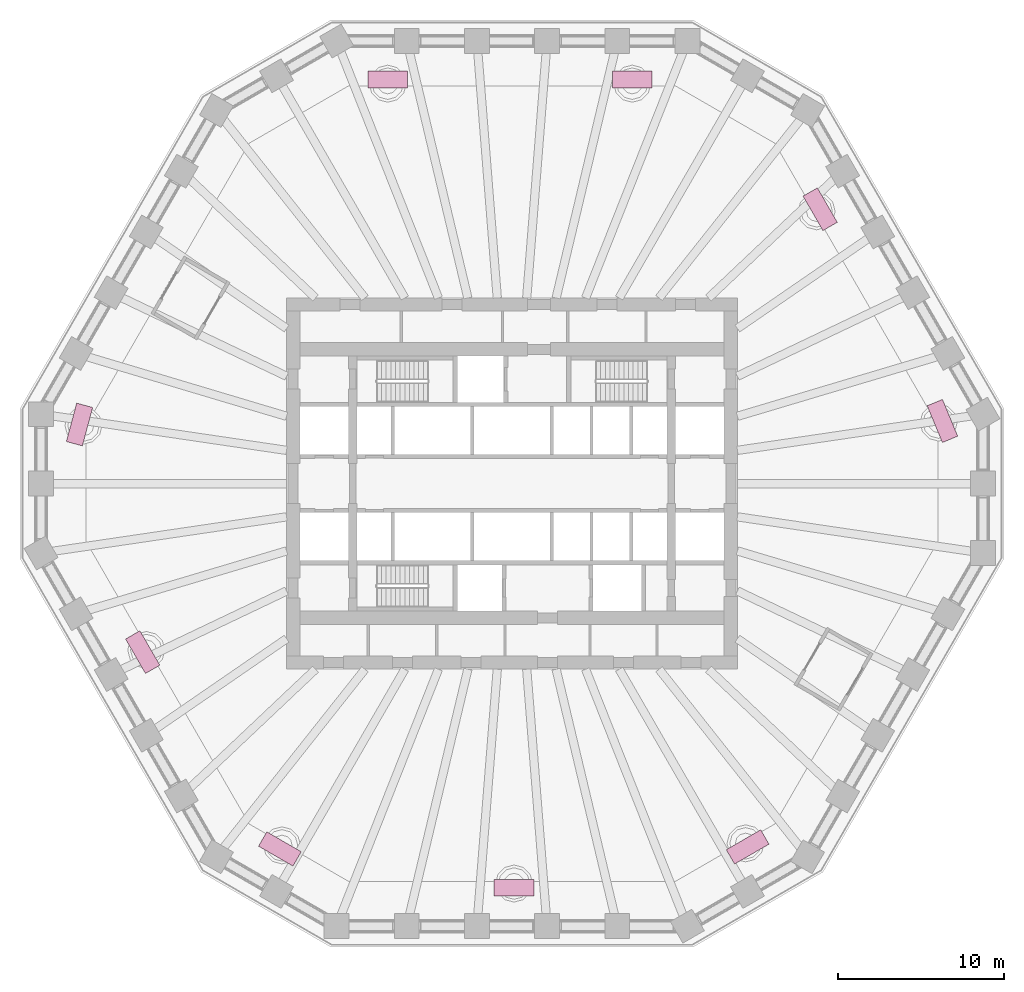
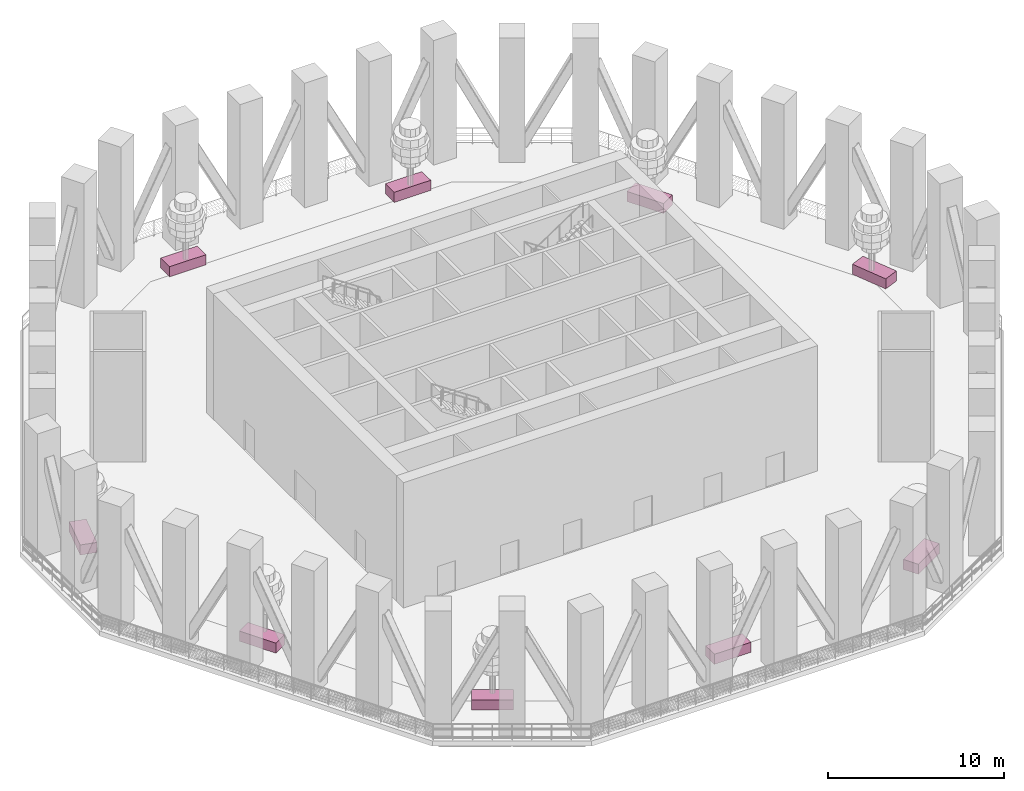
# One storey, part 9 of 10: 9 furniture elements.
"""IFC4 building model written with IfcOpenShell, lengths in metres."""

from ifc_helpers import new_model, si_unit, direction, frame, origin, origin_2d, place, context, subcontext, project, spatial, rectangle, extrude, material, type_object, element, save


model = new_model("IFC4")

# Units and contexts
model_context = context("Model", 3, precision=1e-05, world=origin(), true_north=direction((0.0, 1.0)))
body_context = subcontext(model_context, "Body", "Model", "MODEL_VIEW")
ifc_project = project(units=[si_unit("LENGTHUNIT", "METRE"), si_unit("AREAUNIT", "SQUARE_METRE"), si_unit("VOLUMEUNIT", "CUBIC_METRE"), si_unit("PLANEANGLEUNIT", "RADIAN"), si_unit("MASSUNIT", "GRAM", prefix="KILO")], contexts=[model_context])

# Site, building, storey
site_placement = place(None, origin())
site = spatial("IfcSite", under=ifc_project, at=site_placement, CompositionType="ELEMENT")
building_placement = place(site_placement, origin())
building = spatial("IfcBuilding", under=site, at=building_placement, Name="Frailejon Research Tower", CompositionType="ELEMENT")
storey_placement = place(building_placement, frame((0.0, 0.0, 71.800048828125)))
storey = spatial("IfcBuildingStorey", under=building, at=storey_placement, Name="L16", CompositionType="ELEMENT", Elevation=71.800048828125)

# Furniture
ifc_material = material(Name="Precast concrete C30/37 planter, terracotta", Category="masonry")
furniture_type = type_object("IfcFurnitureType", Name="Terrace planter 2400x1000", AssemblyPlace="NOTDEFINED", PredefinedType="USERDEFINED", material=ifc_material)
for number, where, z_axis, x_axis, name in (
    (1, (25.969482421875, 3.778076171875, 0.0), (0.0, 0.0, 1.0), (-0.382436710206, 0.923981689584, 0.0), "Planter L16"),
    (2, (18.593017578125, 16.5546875, 0.0), (0.0, 0.0, 1.0), (-0.5, 0.866025403784, 0.0), "Planter L16"),
    (3, (7.25390625, 24.379150390625, 0.0), (0.0, 0.0, 1.0), (-1.0, 0.0, 0.0), "Planter L16"),
    (4, (-7.499267578125, 24.379150390625, 0.0), (0.0, 0.0, 1.0), (-1.0, 0.0, 0.0), "Planter L16"),
    (5, (-26.092041015625, 3.565673828125, 0.0), (0.0, 0.0, 1.0), (-0.258819045103, -0.965925826289, 0.0), "Planter L16"),
    (6, (-22.281005859375, -10.166259765625, 0.0), (0.0, 0.0, 1.0), (0.5, -0.866025403784, 0.0), "Planter L16"),
    (7, (-14.004638671875, -22.04296875, 0.0), (0.0, 0.0, 1.0), (0.866025403784, -0.5, 0.0), "Planter L16"),
    (8, (0.12255859375, -24.379150390625, 0.0), (0.0, 0.0, 1.0), (1.0, 0.0, 0.0), "Planter L16"),
    (9, (14.216796875, -21.92041015625, 0.0), (0.0, 0.0, 1.0), (0.866025403784, 0.5, 0.0), "Planter L16"),
):
    element("IfcFurniture", number, at=place(storey_placement, frame(where, z_axis=z_axis, x_axis=x_axis)), inside=storey, type_object=furniture_type, Name=name, ObjectType="PLANTER", PredefinedType="USERDEFINED", context=body_context, shape_type="SweptSolid", body=[
        extrude(rectangle(XDim=2.39990234375, YDim=1.0, at=origin_2d()), origin(), (0.0, 0.0, 1.0), 0.699951171875),
    ])

save(model, "model.ifc")
